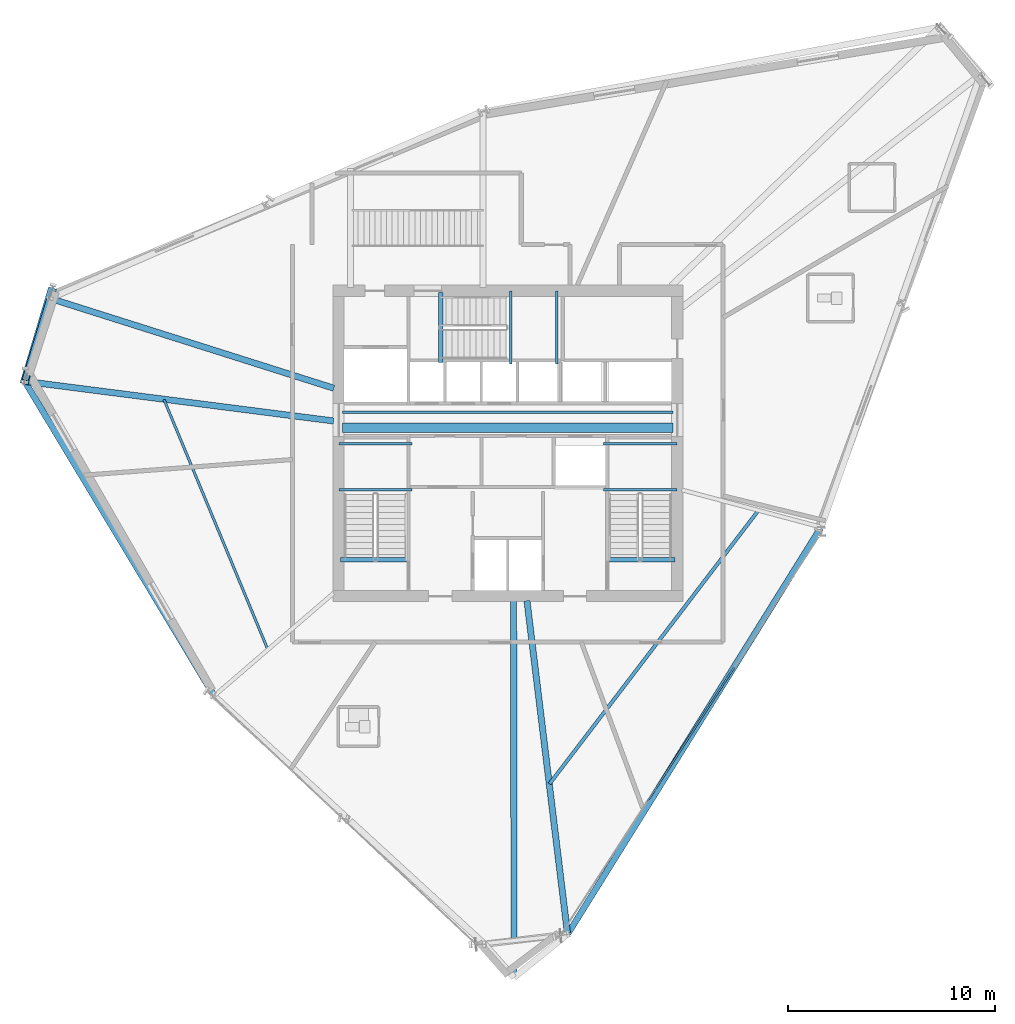
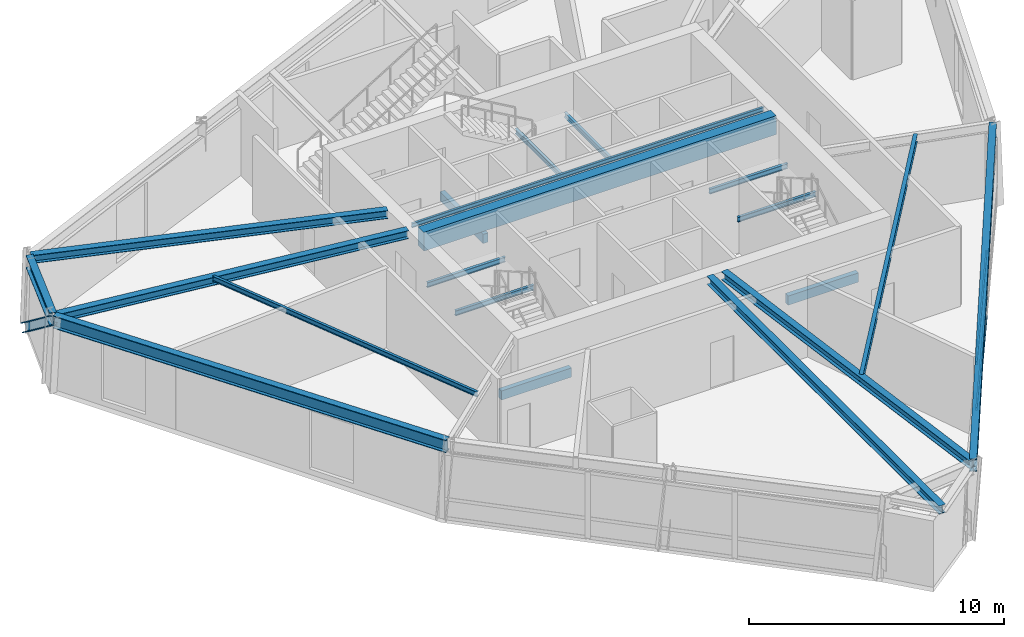
# One storey, part 4 of 14: 20 beams, 4 members, 1 element without a shape of its own.
"""IFC4 building model written with IfcOpenShell, lengths in metres."""

from ifc_helpers import new_model, si_unit, direction, frame, origin, origin_2d, place, context, subcontext, project, spatial, rectangle, hollow_rectangle, i_section, extrude, source, transform, mapped, material, material_profile, profile_set, type_object, element, aggregate, save


model = new_model("IFC4")

# Units and contexts
model_context = context("Model", 3, precision=1e-05, world=origin(), true_north=direction((0.0, 1.0)))
body_context = subcontext(model_context, "Body", "Model", "MODEL_VIEW")
ifc_project = project(units=[si_unit("LENGTHUNIT", "METRE"), si_unit("AREAUNIT", "SQUARE_METRE"), si_unit("VOLUMEUNIT", "CUBIC_METRE"), si_unit("PLANEANGLEUNIT", "RADIAN"), si_unit("MASSUNIT", "GRAM", prefix="KILO")], contexts=[model_context])

# Site, building, storey
site_placement = place(None, origin())
site = spatial("IfcSite", under=ifc_project, at=site_placement, CompositionType="ELEMENT")
building_placement = place(site_placement, origin())
building = spatial("IfcBuilding", under=site, at=building_placement, Name="Olszyna Solenne Hotel", CompositionType="ELEMENT")
storey_placement = place(building_placement, frame((0.0, 0.0, 196.300048828125)))
storey = spatial("IfcBuildingStorey", under=building, at=storey_placement, Name="L52", CompositionType="ELEMENT", Elevation=196.300048828125)

# Beams
ifc_material_1 = material(Name="Steel S355J2", Category="steel")
ifc_material_profile_1 = material_profile(ifc_material_1, i_section(OverallWidth=0.300048828125, OverallDepth=0.60009765625, WebThickness=0.015380859375, FlangeThickness=0.030029296875, at=origin_2d()), Name="HEB 600", Category="load-bearing")
ifc_profile_set_1 = profile_set([ifc_material_profile_1], Name="Steel S355J2")
beam_type_1 = type_object("IfcBeamType", Name="BM-S2", PredefinedType="BEAM", material=ifc_profile_set_1)
shared_shape_1 = source(origin(), body_context, "Body", "SweptSolid", [
    extrude(i_section(OverallWidth=0.300048828125, OverallDepth=0.60009765625, WebThickness=0.015380859375, FlangeThickness=0.030029296875, at=origin_2d()), origin(), (0.0, 0.0, 1.0), 4.0693359375),
])
beam_1_placement = place(storey_placement, frame((15.87353515625, 33.543212890625, 3.47998046875), z_axis=(-0.290610101653, -0.956841558889, 0.0), x_axis=(0.956841558889, -0.290610101653, 0.0)))
element("IfcBeam", 1, at=beam_1_placement, inside=storey, type_object=beam_type_1, Name="Perimeter spandrel beam BM-S2 B-L52-1542", PredefinedType="BEAM", context=body_context, shape_type="MappedRepresentation", body=[
    mapped(shared_shape_1, transform((0.0, 0.0, 0.0), x_axis=(1.0, 0.0, 0.0), y_axis=(0.0, 1.0, 0.0), z_axis=(0.0, 0.0, 1.0), scale=1.0)),
])
shared_shape_2 = source(origin(), body_context, "Body", "SweptSolid", [
    extrude(i_section(OverallWidth=0.300048828125, OverallDepth=0.60009765625, WebThickness=0.015380859375, FlangeThickness=0.030029296875, at=origin_2d()), origin(), (0.0, 0.0, 1.0), 17.609375),
])
beam_2_placement = place(storey_placement, frame((14.704345703125, 29.540771484375, 3.47998046875), z_axis=(0.515706320167, -0.856765423754, 0.0), x_axis=(0.856765423754, 0.515706320167, 0.0)))
element("IfcBeam", 2, at=beam_2_placement, inside=storey, type_object=beam_type_1, Name="Perimeter spandrel beam BM-S2 B-L52-1543", PredefinedType="BEAM", context=body_context, shape_type="MappedRepresentation", body=[
    mapped(shared_shape_2, transform((0.0, 0.0, 0.0), x_axis=(1.0, 0.0, 0.0), y_axis=(0.0, 1.0, 0.0), z_axis=(0.0, 0.0, 1.0), scale=1.0)),
])
shared_shape_3 = source(origin(), body_context, "Body", "SweptSolid", [
    extrude(i_section(OverallWidth=0.300048828125, OverallDepth=0.60009765625, WebThickness=0.015380859375, FlangeThickness=0.030029296875, at=origin_2d()), origin(), (0.0, 0.0, 1.0), 23.04296875),
])
beam_3_placement = place(storey_placement, frame((40.91796875, 2.943603515625, 3.47998046875), z_axis=(0.528773656575, 0.848762876257, 0.0), x_axis=(-0.848762876257, 0.528773656575, 0.0)))
element("IfcBeam", 3, at=beam_3_placement, inside=storey, type_object=beam_type_1, Name="Perimeter spandrel beam BM-S2 B-L52-1547", PredefinedType="BEAM", context=body_context, shape_type="MappedRepresentation", body=[
    mapped(shared_shape_3, transform((0.0, 0.0, 0.0), x_axis=(1.0, 0.0, 0.0), y_axis=(0.0, 1.0, 0.0), z_axis=(0.0, 0.0, 1.0), scale=1.0)),
])
ifc_material_profile_2 = material_profile(ifc_material_1, i_section(OverallWidth=0.300048828125, OverallDepth=0.389892578125, WebThickness=0.010986328125, FlangeThickness=0.01904296875, at=origin_2d()), Name="HEA 400", Category="load-bearing")
ifc_profile_set_2 = profile_set([ifc_material_profile_2], Name="Steel S355J2")
beam_type_2 = type_object("IfcBeamType", Name="BM-G2", PredefinedType="BEAM", material=ifc_profile_set_2)
shared_shape_4 = source(origin(), body_context, "Body", "SweptSolid", [
    extrude(i_section(OverallWidth=0.300048828125, OverallDepth=0.389892578125, WebThickness=0.010986328125, FlangeThickness=0.01904296875, at=origin_2d()), origin(), (0.0, 0.0, 1.0), 14.3173828125),
])
beam_4_placement = place(storey_placement, frame((15.9482421875, 33.58251953125, 3.5849609375), z_axis=(0.953348114403, -0.301873107056, 0.0), x_axis=(0.301873107056, 0.953348114403, 0.0)))
element("IfcBeam", 4, at=beam_4_placement, inside=storey, type_object=beam_type_2, Name="Radial floor girder BM-G2 B-L52-1552", PredefinedType="BEAM", context=body_context, shape_type="MappedRepresentation", body=[
    mapped(shared_shape_4, transform((0.0, 0.0, 0.0), x_axis=(1.0, 0.0, 0.0), y_axis=(0.0, 1.0, 0.0), z_axis=(0.0, 0.0, 1.0), scale=1.0)),
])
shared_shape_5 = source(origin(), body_context, "Body", "SweptSolid", [
    extrude(i_section(OverallWidth=0.300048828125, OverallDepth=0.389892578125, WebThickness=0.010986328125, FlangeThickness=0.01904296875, at=origin_2d()), origin(), (0.0, 0.0, 1.0), 14.988525390625),
])
beam_5_placement = place(storey_placement, frame((14.73291015625, 29.58447265625, 3.5849609375), z_axis=(0.991873286483, -0.12722964891, 0.0), x_axis=(0.12722964891, 0.991873286483, 0.0)))
element("IfcBeam", 5, at=beam_5_placement, inside=storey, type_object=beam_type_2, Name="Radial floor girder BM-G2 B-L52-1553", PredefinedType="BEAM", context=body_context, shape_type="MappedRepresentation", body=[
    mapped(shared_shape_5, transform((0.0, 0.0, 0.0), x_axis=(1.0, 0.0, 0.0), y_axis=(0.0, 1.0, 0.0), z_axis=(0.0, 0.0, 1.0), scale=1.0)),
])
shared_shape_6 = source(origin(), body_context, "Body", "SweptSolid", [
    extrude(i_section(OverallWidth=0.300048828125, OverallDepth=0.389892578125, WebThickness=0.010986328125, FlangeThickness=0.01904296875, at=origin_2d()), origin(), (0.0, 0.0, 1.0), 18.179931640625),
])
beam_6_placement = place(storey_placement, frame((38.301025390625, 0.820068359375, 3.5849609375), z_axis=(-0.001141475117, 0.999999348517, 0.0), x_axis=(-0.999999348517, -0.001141475117, 0.0)))
element("IfcBeam", 6, at=beam_6_placement, inside=storey, type_object=beam_type_2, Name="Radial floor girder BM-G2 B-L52-1555", PredefinedType="BEAM", context=body_context, shape_type="MappedRepresentation", body=[
    mapped(shared_shape_6, transform((0.0, 0.0, 0.0), x_axis=(1.0, 0.0, 0.0), y_axis=(0.0, 1.0, 0.0), z_axis=(0.0, 0.0, 1.0), scale=1.0)),
])
shared_shape_7 = source(origin(), body_context, "Body", "SweptSolid", [
    extrude(i_section(OverallWidth=0.300048828125, OverallDepth=0.389892578125, WebThickness=0.010986328125, FlangeThickness=0.01904296875, at=origin_2d()), origin(), (0.0, 0.0, 1.0), 16.16552734375),
])
beam_7_placement = place(storey_placement, frame((40.87890625, 2.952392578125, 3.5849609375), z_axis=(-0.12085002896, 0.992670776492, 0.0), x_axis=(-0.992670776492, -0.12085002896, 0.0)))
element("IfcBeam", 7, at=beam_7_placement, inside=storey, type_object=beam_type_2, Name="Radial floor girder BM-G2 B-L52-1556", PredefinedType="BEAM", context=body_context, shape_type="MappedRepresentation", body=[
    mapped(shared_shape_7, transform((0.0, 0.0, 0.0), x_axis=(1.0, 0.0, 0.0), y_axis=(0.0, 1.0, 0.0), z_axis=(0.0, 0.0, 1.0), scale=1.0)),
])
ifc_material_profile_3 = material_profile(ifc_material_1, i_section(OverallWidth=0.1201171875, OverallDepth=0.239990234375, WebThickness=0.006103515625, FlangeThickness=0.009765625, at=origin_2d()), Name="IPE 240", Category="load-bearing")
ifc_profile_set_3 = profile_set([ifc_material_profile_3], Name="Steel S355J2")
beam_type_3 = type_object("IfcBeamType", Name="JS-03", PredefinedType="JOIST", material=ifc_profile_set_3)
shared_shape_8 = source(origin(), body_context, "Body", "SweptSolid", [
    extrude(i_section(OverallWidth=0.1201171875, OverallDepth=0.239990234375, WebThickness=0.006103515625, FlangeThickness=0.009765625, at=origin_2d()), origin(), (0.0, 0.0, 1.0), 13.056396484375),
])
beam_8_placement = place(storey_placement, frame((21.39794921875, 28.7119140625, 3.659912109375), z_axis=(0.383574187831, -0.923510066231, 0.0), x_axis=(0.923510066231, 0.383574187831, 0.0)))
element("IfcBeam", 8, at=beam_8_placement, inside=storey, type_object=beam_type_3, Name="Secondary composite floor joist JS-03 B-L52-1562", PredefinedType="JOIST", context=body_context, shape_type="MappedRepresentation", body=[
    mapped(shared_shape_8, transform((0.0, 0.0, 0.0), x_axis=(1.0, 0.0, 0.0), y_axis=(0.0, 1.0, 0.0), z_axis=(0.0, 0.0, 1.0), scale=1.0)),
])
ifc_material_profile_4 = material_profile(ifc_material_1, i_section(OverallWidth=0.169921875, OverallDepth=0.360107421875, WebThickness=0.008056640625, FlangeThickness=0.0126953125, at=origin_2d()), Name="IPE 360", Category="load-bearing")
ifc_profile_set_4 = profile_set([ifc_material_profile_4], Name="Steel S355J2")
beam_type_4 = type_object("IfcBeamType", Name="JS-01", PredefinedType="JOIST", material=ifc_profile_set_4)
shared_shape_9 = source(origin(), body_context, "Body", "SweptSolid", [
    extrude(i_section(OverallWidth=0.169921875, OverallDepth=0.360107421875, WebThickness=0.008056640625, FlangeThickness=0.0126953125, at=origin_2d()), origin(), (0.0, 0.0, 1.0), 16.598876953125),
])
beam_9_placement = place(storey_placement, frame((40.015869140625, 10.15673828125, 3.599853515625), z_axis=(0.607071700548, 0.794647060269, 0.0), x_axis=(-0.794647060269, 0.607071700548, 0.0)))
element("IfcBeam", 9, at=beam_9_placement, inside=storey, type_object=beam_type_4, Name="Secondary composite floor joist JS-01 B-L52-1563", PredefinedType="JOIST", context=body_context, shape_type="MappedRepresentation", body=[
    mapped(shared_shape_9, transform((0.0, 0.0, 0.0), x_axis=(1.0, 0.0, 0.0), y_axis=(0.0, 1.0, 0.0), z_axis=(0.0, 0.0, 1.0), scale=1.0)),
])

# Member
ifc_material_2 = material(Name="Steel S460M", Category="steel")
ifc_material_profile_5 = material_profile(ifc_material_2, i_section(OverallWidth=0.406005859375, OverallDepth=0.416015625, WebThickness=0.026611328125, FlangeThickness=0.04150390625, at=origin_2d()), Name="HD 400x382", Category="load-bearing")
ifc_profile_set_5 = profile_set([ifc_material_profile_5], Name="Steel S460M")
member_type_1 = type_object("IfcMemberType", Name="BR-T2", PredefinedType="BRACE", material=ifc_profile_set_5)
shared_shape_10 = source(origin(), body_context, "Body", "SweptSolid", [
    extrude(i_section(OverallWidth=0.406005859375, OverallDepth=0.416015625, WebThickness=0.026611328125, FlangeThickness=0.04150390625, at=origin_2d()), origin(), (0.0, 0.0, 1.0), 5.724609375),
])
member_1_placement = place(storey_placement, frame((15.97998046875, 33.977294921875, 0.010009765625), z_axis=(-0.228250419972, -0.766037751034, 0.600905907587), x_axis=(0.958362075448, -0.28555583052, 0.0)))
element("IfcMember", 10, at=member_1_placement, inside=storey, type_object=member_type_1, Name="Perimeter braced-tube diagonal BR-T2 BR-L52-2", PredefinedType="BRACE", context=body_context, shape_type="MappedRepresentation", body=[
    mapped(shared_shape_10, transform((0.0, 0.0, 0.0), x_axis=(1.0, 0.0, 0.0), y_axis=(0.0, 1.0, 0.0), z_axis=(0.0, 0.0, 1.0), scale=1.0)),
])

# Curtain wall, members
ifc_material_3 = material(Name="Anodised bronze aluminium", Category="aluminium")
curtain_wall_type = type_object("IfcCurtainWallType", Name="CW-SYS-6", PredefinedType="NOTDEFINED", material=ifc_material_3)
curtain_wall_placement = place(storey_placement, origin())
curtain_wall = element("IfcCurtainWall", 11, at=curtain_wall_placement, inside=storey, type_object=curtain_wall_type, Name="Unitised curtain wall CW-SYS-6 CW-L52-01", PredefinedType="NOTDEFINED")
ifc_material_profile_6 = material_profile(ifc_material_3, hollow_rectangle(XDim=0.074951171875, YDim=0.159912109375, WallThickness=0.00390625, at=origin_2d()), Name="TRAN 160x75x4", Category="load-bearing")
ifc_profile_set_6 = profile_set([ifc_material_profile_6], Name="Anodised bronze aluminium")
member_type_2 = type_object("IfcMemberType", Name="CW-T1", PredefinedType="USERDEFINED", material=ifc_profile_set_6)
shared_shape_11 = source(origin(), body_context, "Body", "SweptSolid", [
    extrude(hollow_rectangle(XDim=0.074951171875, YDim=0.159912109375, WallThickness=0.00390625, at=origin_2d()), origin(), (0.0, 0.0, 1.0), 7.65087890625),
])
member_2_placement = place(storey_placement, frame((44.7626953125, 9.34130859375, 0.037353515625), z_axis=(0.543776439762, 0.839230113592, 0.0), x_axis=(-0.839230113592, 0.543776439762, 0.0)))
member_2 = element("IfcMember", 12, at=member_2_placement, type_object=member_type_2, Name="Curtain-wall transom CW-T1 CT-L52-01-04", ObjectType="TRANSOM", PredefinedType="USERDEFINED", context=body_context, shape_type="MappedRepresentation", body=[
    mapped(shared_shape_11, transform((0.0, 0.0, 0.0), x_axis=(1.0, 0.0, 0.0), y_axis=(0.0, 1.0, 0.0), z_axis=(0.0, 0.0, 1.0), scale=1.0)),
])
member_3_placement = place(storey_placement, frame((44.7626953125, 9.34130859375, 0.949951171875), z_axis=(0.543776439762, 0.839230113592, 0.0), x_axis=(-0.839230113592, 0.543776439762, 0.0)))
member_3 = element("IfcMember", 13, at=member_3_placement, type_object=member_type_2, Name="Curtain-wall transom CW-T1 CT-L52-01-05", ObjectType="TRANSOM", PredefinedType="USERDEFINED", context=body_context, shape_type="MappedRepresentation", body=[
    mapped(shared_shape_11, transform((0.0, 0.0, 0.0), x_axis=(1.0, 0.0, 0.0), y_axis=(0.0, 1.0, 0.0), z_axis=(0.0, 0.0, 1.0), scale=1.0)),
])
member_4_placement = place(storey_placement, frame((44.7626953125, 9.34130859375, 3.134521484375), z_axis=(0.543776439762, 0.839230113592, 0.0), x_axis=(-0.839230113592, 0.543776439762, 0.0)))
member_4 = element("IfcMember", 14, at=member_4_placement, type_object=member_type_2, Name="Curtain-wall transom CW-T1 CT-L52-01-06", ObjectType="TRANSOM", PredefinedType="USERDEFINED", context=body_context, shape_type="MappedRepresentation", body=[
    mapped(shared_shape_11, transform((0.0, 0.0, 0.0), x_axis=(1.0, 0.0, 0.0), y_axis=(0.0, 1.0, 0.0), z_axis=(0.0, 0.0, 1.0), scale=1.0)),
])
aggregate(curtain_wall, [member_2, member_3, member_4])

# Beams
ifc_material_4 = material(Name="Concrete C50/60", Category="concrete")
ifc_material_profile_7 = material_profile(ifc_material_4, rectangle(XDim=0.449951171875, YDim=0.89990234375, at=origin_2d()), Name="RC 900x450", Category="load-bearing")
ifc_profile_set_7 = profile_set([ifc_material_profile_7], Name="Concrete C50/60")
beam_type_5 = type_object("IfcBeamType", Name="CB-01", PredefinedType="LINTEL", material=ifc_profile_set_7)
shared_shape_12 = source(origin(), body_context, "Body", "SweptSolid", [
    extrude(rectangle(XDim=0.449951171875, YDim=0.89990234375, at=origin_2d()), origin(), (0.0, 0.0, 1.0), 15.9599609375),
])
beam_10_placement = place(storey_placement, frame((30.02001953125, 27.35009765625, 3.329833984375), z_axis=(1.0, 0.0, 0.0), x_axis=(0.0, 1.0, 0.0)))
element("IfcBeam", 15, at=beam_10_placement, inside=storey, type_object=beam_type_5, Name="Core coupling lintel beam CB-01 L52", PredefinedType="LINTEL", context=body_context, shape_type="MappedRepresentation", body=[
    mapped(shared_shape_12, transform((0.0, 0.0, 0.0), x_axis=(1.0, 0.0, 0.0), y_axis=(0.0, 1.0, 0.0), z_axis=(0.0, 0.0, 1.0), scale=1.0)),
])
ifc_material_profile_8 = material_profile(ifc_material_1, i_section(OverallWidth=0.10009765625, OverallDepth=0.199951171875, WebThickness=0.005615234375, FlangeThickness=0.008544921875, at=origin_2d()), Name="IPE 200", Category="load-bearing")
ifc_profile_set_8 = profile_set([ifc_material_profile_8], Name="Steel S355J2")
beam_type_6 = type_object("IfcBeamType", Name="LN-01", PredefinedType="LINTEL", material=ifc_profile_set_8)
shared_shape_13 = source(origin(), body_context, "Body", "SweptSolid", [
    extrude(i_section(OverallWidth=0.10009765625, OverallDepth=0.199951171875, WebThickness=0.005615234375, FlangeThickness=0.008544921875, at=origin_2d()), origin(), (0.0, 0.0, 1.0), 15.9599609375),
])
beam_11_placement = place(storey_placement, frame((30.02001953125, 28.10009765625, 3.530029296875), z_axis=(1.0, 0.0, 0.0), x_axis=(0.0, 1.0, 0.0)))
element("IfcBeam", 16, at=beam_11_placement, inside=storey, type_object=beam_type_6, Name="Opening steel lintel LN-01 L52", PredefinedType="LINTEL", context=body_context, shape_type="MappedRepresentation", body=[
    mapped(shared_shape_13, transform((0.0, 0.0, 0.0), x_axis=(1.0, 0.0, 0.0), y_axis=(0.0, 1.0, 0.0), z_axis=(0.0, 0.0, 1.0), scale=1.0)),
])
shared_shape_14 = source(origin(), body_context, "Body", "SweptSolid", [
    extrude(i_section(OverallWidth=0.1201171875, OverallDepth=0.239990234375, WebThickness=0.006103515625, FlangeThickness=0.009765625, at=origin_2d()), origin(), (0.0, 0.0, 1.0), 3.539794921875),
])
for number, where, z_axis, x_axis, name in (
    (17, (33.3798828125, 24.360107421875, 1.675048828125), (-1.0, 0.0, 0.0), (0.0, -1.0, 0.0), "Stair landing support beam JS-03 SLB-ST1-0109"),
    (18, (33.3798828125, 26.580078125, 1.675048828125), (-1.0, 0.0, 0.0), (0.0, -1.0, 0.0), "Stair landing support beam JS-03 SLB-ST1-0110"),
    (19, (46.159912109375, 24.360107421875, 1.675048828125), (-1.0, 0.0, 0.0), (0.0, -1.0, 0.0), "Stair landing support beam JS-03 SLB-ST2-0349"),
    (20, (46.159912109375, 26.580078125, 1.675048828125), (-1.0, 0.0, 0.0), (0.0, -1.0, 0.0), "Stair landing support beam JS-03 SLB-ST2-0350"),
):
    element("IfcBeam", number, at=place(storey_placement, frame(where, z_axis=z_axis, x_axis=x_axis)), inside=storey, type_object=beam_type_3, Name=name, PredefinedType="JOIST", context=body_context, shape_type="MappedRepresentation", body=[
        mapped(shared_shape_14, transform((0.0, 0.0, 0.0), x_axis=(1.0, 0.0, 0.0), y_axis=(0.0, 1.0, 0.0), z_axis=(0.0, 0.0, 1.0), scale=1.0)),
    ])
ifc_material_profile_9 = material_profile(ifc_material_4, rectangle(XDim=0.219970703125, YDim=0.43994140625, at=origin_2d()), Name="RC 220x440", Category="load-bearing")
ifc_profile_set_9 = profile_set([ifc_material_profile_9], Name="Concrete C50/60")
beam_type_7 = type_object("IfcBeamType", Name="BM-ST1", PredefinedType="BEAM", material=ifc_profile_set_9)
shared_shape_15 = source(origin(), body_context, "Body", "SweptSolid", [
    extrude(rectangle(XDim=0.219970703125, YDim=0.43994140625, at=origin_2d()), origin(), (0.0, 0.0, 1.0), 3.18017578125),
])
for number, where, z_axis, x_axis, name in (
    (21, (33.10009765625, 20.97998046875, -0.205078125), (-1.0, 0.0, 0.0), (0.0, -1.0, 0.0), "Concrete stair trimmer beam BM-ST1 SHB-ST1-0214"),
    (22, (46.080078125, 20.97998046875, -0.205078125), (-1.0, 0.0, 0.0), (0.0, -1.0, 0.0), "Concrete stair trimmer beam BM-ST1 SHB-ST2-0454"),
):
    element("IfcBeam", number, at=place(storey_placement, frame(where, z_axis=z_axis, x_axis=x_axis)), inside=storey, type_object=beam_type_7, Name=name, PredefinedType="BEAM", context=body_context, shape_type="MappedRepresentation", body=[
        mapped(shared_shape_15, transform((0.0, 0.0, 0.0), x_axis=(1.0, 0.0, 0.0), y_axis=(0.0, 1.0, 0.0), z_axis=(0.0, 0.0, 1.0), scale=1.0)),
    ])
shared_shape_16 = source(origin(), body_context, "Body", "SweptSolid", [
    extrude(i_section(OverallWidth=0.1201171875, OverallDepth=0.239990234375, WebThickness=0.006103515625, FlangeThickness=0.009765625, at=origin_2d()), origin(), (0.0, 0.0, 1.0), 3.5400390625),
])
for number, where, z_axis, x_axis, name in (
    (23, (38.139892578125, 30.419921875, 1.675048828125), (0.0, 1.0, 0.0), (-1.0, 0.0, 0.0), "Stair landing support beam JS-03 SLB-ST3-0589"),
    (24, (40.360107421875, 30.419921875, 1.675048828125), (0.0, 1.0, 0.0), (-1.0, 0.0, 0.0), "Stair landing support beam JS-03 SLB-ST3-0590"),
):
    element("IfcBeam", number, at=place(storey_placement, frame(where, z_axis=z_axis, x_axis=x_axis)), inside=storey, type_object=beam_type_3, Name=name, PredefinedType="JOIST", context=body_context, shape_type="MappedRepresentation", body=[
        mapped(shared_shape_16, transform((0.0, 0.0, 0.0), x_axis=(1.0, 0.0, 0.0), y_axis=(0.0, 1.0, 0.0), z_axis=(0.0, 0.0, 1.0), scale=1.0)),
    ])
shared_shape_17 = source(origin(), body_context, "Body", "SweptSolid", [
    extrude(rectangle(XDim=0.219970703125, YDim=0.43994140625, at=origin_2d()), origin(), (0.0, 0.0, 1.0), 3.3798828125),
])
beam_12_placement = place(storey_placement, frame((34.760009765625, 30.5, -0.205078125), z_axis=(0.0, 1.0, 0.0), x_axis=(-1.0, 0.0, 0.0)))
element("IfcBeam", 25, at=beam_12_placement, inside=storey, type_object=beam_type_7, Name="Concrete stair trimmer beam BM-ST1 SHB-ST3-0692", PredefinedType="BEAM", context=body_context, shape_type="MappedRepresentation", body=[
    mapped(shared_shape_17, transform((0.0, 0.0, 0.0), x_axis=(1.0, 0.0, 0.0), y_axis=(0.0, 1.0, 0.0), z_axis=(0.0, 0.0, 1.0), scale=1.0)),
])

save(model, "model.ifc")
